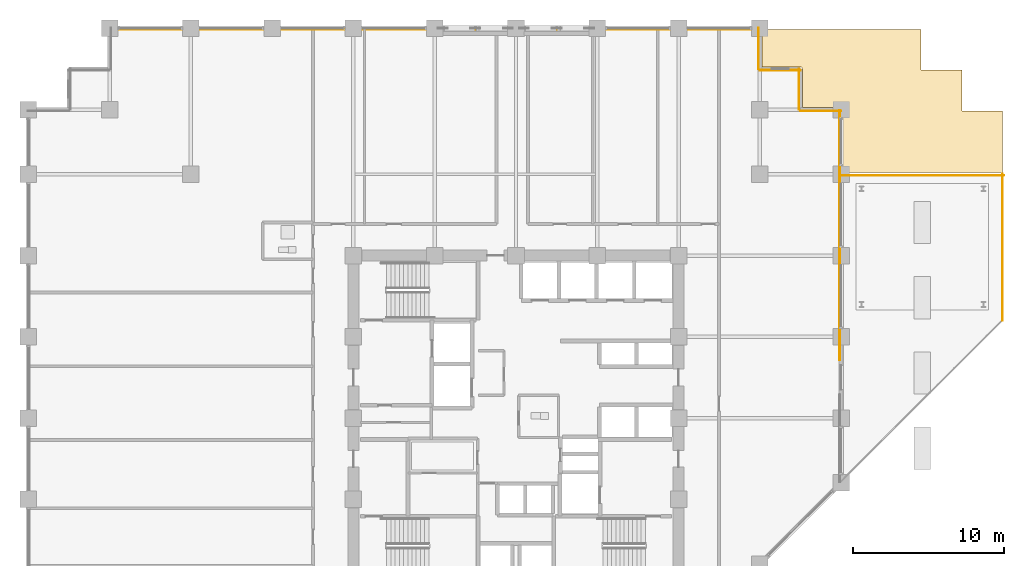
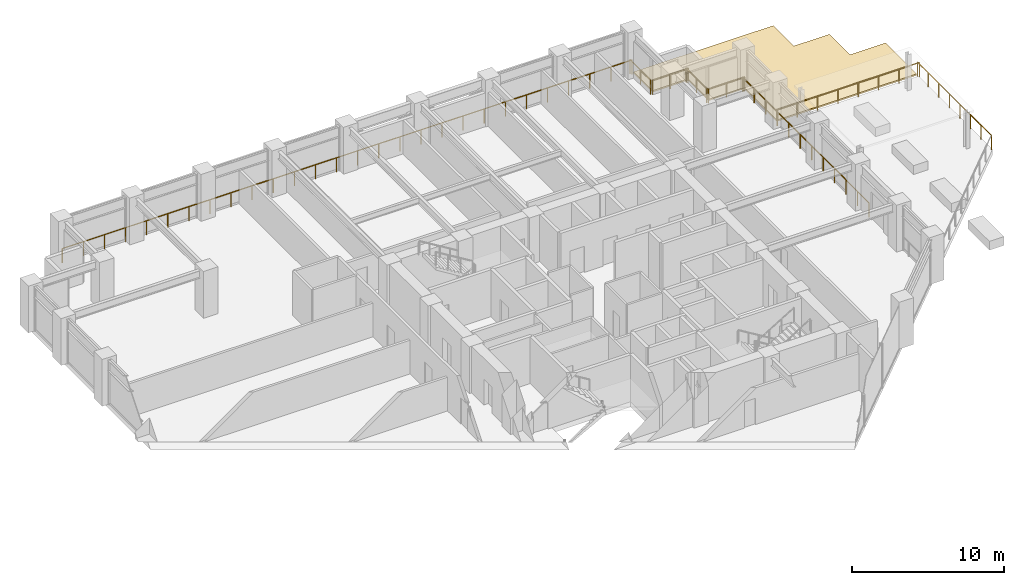
# One storey, part 28 of 30: 8 railings, 1 covering.
"""IFC4 building model written with IfcOpenShell, lengths in metres."""

from ifc_helpers import new_model, si_unit, direction, frame, origin, origin_2d, place, context, subcontext, project, spatial, polyline, circle, outline, extrude, material, layer, layer_set, type_object, element, save


model = new_model("IFC4")

# Units and contexts
model_context = context("Model", 3, precision=1e-05, world=origin(), true_north=direction((0.0, 1.0)))
body_context = subcontext(model_context, "Body", "Model", "MODEL_VIEW")
ifc_project = project(units=[si_unit("LENGTHUNIT", "METRE"), si_unit("AREAUNIT", "SQUARE_METRE"), si_unit("VOLUMEUNIT", "CUBIC_METRE"), si_unit("PLANEANGLEUNIT", "RADIAN"), si_unit("MASSUNIT", "GRAM", prefix="KILO")], contexts=[model_context])

# Site, building, storey
site_placement = place(None, origin())
site = spatial("IfcSite", under=ifc_project, at=site_placement, CompositionType="ELEMENT")
building_placement = place(site_placement, origin())
building = spatial("IfcBuilding", under=site, at=building_placement, Name="Surkhivell Harbour Commons", CompositionType="ELEMENT")
storey_placement = place(building_placement, frame((0.0, 0.0, 83.25)))
storey = spatial("IfcBuildingStorey", under=building, at=storey_placement, Name="L21", CompositionType="ELEMENT", Elevation=83.25)

# Covering
ifc_material_1 = material(Name="Inverted elastomeric waterproofing membrane and rigid insulation", Category="other")
ifc_layer = layer(ifc_material_1, 0.1201171875)
ifc_layer_set = layer_set([ifc_layer], Name="Inverted elastomeric waterproofing membrane and rigid insulation")
covering_type = type_object("IfcCoveringType", Name="COV-ROOF-MEM", PredefinedType="ROOFING", material=ifc_layer_set)
covering_placement = place(storey_placement, origin())
element("IfcCovering", 1, at=covering_placement, inside=storey, type_object=covering_type, Name="L21 Setback Waterproofing Roof Membrane 1-1", PredefinedType="ROOFING", context=body_context, shape_type="SweptSolid", body=[
    extrude(outline(polyline([(26.919921875, 25.820068359375), (16.330078125, 25.820068359375), (16.330078125, 23.330078125), (18.902099609375, 23.330078125), (18.912841796875, 23.32958984375), (18.92529296875, 23.32763671875), (18.937744140625, 23.324462890625), (18.94970703125, 23.3203125), (18.961181640625, 23.314697265625), (18.972412109375, 23.30810546875), (18.982421875, 23.300537109375), (18.991943359375, 23.2919921875), (19.00048828125, 23.282470703125), (19.00830078125, 23.272216796875), (19.0146484375, 23.26123046875), (19.020263671875, 23.249755859375), (19.0244140625, 23.23779296875), (19.027587890625, 23.225341796875), (19.029541015625, 23.212890625), (19.030029296875, 23.201904296875), (19.030029296875, 20.6298828125), (21.60205078125, 20.6298828125), (21.61279296875, 20.62939453125), (21.62548828125, 20.627685546875), (21.6376953125, 20.62451171875), (21.64990234375, 20.6201171875), (21.661376953125, 20.61474609375), (21.67236328125, 20.608154296875), (21.6826171875, 20.6005859375), (21.69189453125, 20.592041015625), (21.70068359375, 20.58251953125), (21.708251953125, 20.572265625), (21.714599609375, 20.561279296875), (21.72021484375, 20.5498046875), (21.724609375, 20.537841796875), (21.7275390625, 20.525390625), (21.7294921875, 20.5126953125), (21.72998046875, 20.501953125), (21.72998046875, 16.330078125), (32.320068359375, 16.330078125), (32.320068359375, 20.419921875), (29.6201171875, 20.419921875), (29.6201171875, 23.1201171875), (26.919921875, 23.1201171875), (26.919921875, 25.820068359375)])), origin(), (0.0, 0.0, 1.0), 0.1201171875),
])

# Railings
ifc_material_2 = material(Name="Laminated safety glass and stainless steel S355 balustrade", Category="steel")
railing_type = type_object("IfcRailingType", Name="RAL-BAL-1150", PredefinedType="BALUSTRADE", material=ifc_material_2)
railing_1_placement = place(storey_placement, frame((21.510009765625, 3.85009765625, 0.0)))
element("IfcRailing", 2, at=railing_1_placement, inside=storey, type_object=railing_type, Name="L21 Perimeter Safety Guard 03B", PredefinedType="BALUSTRADE", context=body_context, shape_type="SweptSolid", body=[
    extrude(circle(Radius=0.02392578125, at=origin_2d()), frame((0.0, 0.0, 1.1259765625), z_axis=(0.0, 1.0, 0.0), x_axis=(-1.0, 0.0, 0.0)), (0.0, 0.0, 1.0), 16.599853515625),
    extrude(circle(Radius=0.02099609375, at=origin_2d()), origin(), (0.0, 0.0, 1.0), 1.101806640625),
    extrude(circle(Radius=0.02099609375, at=origin_2d()), frame((0.0, 1.509033203125, 0.0)), (0.0, 0.0, 1.0), 1.101806640625),
    extrude(circle(Radius=0.02099609375, at=origin_2d()), frame((0.0, 3.01806640625, 0.0)), (0.0, 0.0, 1.0), 1.101806640625),
    extrude(circle(Radius=0.02099609375, at=origin_2d()), frame((0.0, 4.52734375, 0.0)), (0.0, 0.0, 1.0), 1.101806640625),
    extrude(circle(Radius=0.02099609375, at=origin_2d()), frame((0.0, 6.036376953125, 0.0)), (0.0, 0.0, 1.0), 1.101806640625),
    extrude(circle(Radius=0.02099609375, at=origin_2d()), frame((0.0, 7.54541015625, 0.0)), (0.0, 0.0, 1.0), 1.101806640625),
    extrude(circle(Radius=0.02099609375, at=origin_2d()), frame((0.0, 9.054443359375, 0.0)), (0.0, 0.0, 1.0), 1.101806640625),
    extrude(circle(Radius=0.02099609375, at=origin_2d()), frame((0.0, 10.5634765625, 0.0)), (0.0, 0.0, 1.0), 1.101806640625),
    extrude(circle(Radius=0.02099609375, at=origin_2d()), frame((0.0, 12.072509765625, 0.0)), (0.0, 0.0, 1.0), 1.101806640625),
    extrude(circle(Radius=0.02099609375, at=origin_2d()), frame((0.0, 13.581787109375, 0.0)), (0.0, 0.0, 1.0), 1.101806640625),
    extrude(circle(Radius=0.02099609375, at=origin_2d()), frame((0.0, 15.0908203125, 0.0)), (0.0, 0.0, 1.0), 1.101806640625),
    extrude(circle(Radius=0.02099609375, at=origin_2d()), frame((0.0, 16.599853515625, 0.0)), (0.0, 0.0, 1.0), 1.101806640625),
])
railing_2_placement = place(storey_placement, frame((21.60009765625, 20.409912109375, 0.0)))
element("IfcRailing", 3, at=railing_2_placement, inside=storey, type_object=railing_type, Name="L21 Perimeter Safety Guard 04", PredefinedType="BALUSTRADE", context=body_context, shape_type="SweptSolid", body=[
    extrude(circle(Radius=0.02392578125, at=origin_2d()), frame((0.0, 0.0, 1.1259765625), z_axis=(-1.0, 0.0, 0.0), x_axis=(0.0, -1.0, 0.0)), (0.0, 0.0, 1.0), 2.7001953125),
    extrude(circle(Radius=0.02099609375, at=origin_2d()), origin(), (0.0, 0.0, 1.0), 1.101806640625),
    extrude(circle(Radius=0.02099609375, at=origin_2d()), frame((-1.35009765625, 0.0, 0.0)), (0.0, 0.0, 1.0), 1.101806640625),
    extrude(circle(Radius=0.02099609375, at=origin_2d()), frame((-2.7001953125, 0.0, 0.0)), (0.0, 0.0, 1.0), 1.101806640625),
])
railing_3_placement = place(storey_placement, frame((18.81005859375, 20.5, 0.0)))
element("IfcRailing", 4, at=railing_3_placement, inside=storey, type_object=railing_type, Name="L21 Perimeter Safety Guard 05", PredefinedType="BALUSTRADE", context=body_context, shape_type="SweptSolid", body=[
    extrude(circle(Radius=0.02392578125, at=origin_2d()), frame((0.0, 0.0, 1.1259765625), z_axis=(0.0, 1.0, 0.0), x_axis=(-1.0, 0.0, 0.0)), (0.0, 0.0, 1.0), 2.699951171875),
    extrude(circle(Radius=0.02099609375, at=origin_2d()), origin(), (0.0, 0.0, 1.0), 1.101806640625),
    extrude(circle(Radius=0.02099609375, at=origin_2d()), frame((0.0, 1.35009765625, 0.0)), (0.0, 0.0, 1.0), 1.101806640625),
    extrude(circle(Radius=0.02099609375, at=origin_2d()), frame((0.0, 2.699951171875, 0.0)), (0.0, 0.0, 1.0), 1.101806640625),
])
railing_4_placement = place(storey_placement, frame((18.89990234375, 23.110107421875, 0.0)))
element("IfcRailing", 5, at=railing_4_placement, inside=storey, type_object=railing_type, Name="L21 Perimeter Safety Guard 06", PredefinedType="BALUSTRADE", context=body_context, shape_type="SweptSolid", body=[
    extrude(circle(Radius=0.02392578125, at=origin_2d()), frame((0.0, 0.0, 1.1259765625), z_axis=(-1.0, 0.0, 0.0), x_axis=(0.0, -1.0, 0.0)), (0.0, 0.0, 1.0), 2.699951171875),
    extrude(circle(Radius=0.02099609375, at=origin_2d()), origin(), (0.0, 0.0, 1.0), 1.101806640625),
    extrude(circle(Radius=0.02099609375, at=origin_2d()), frame((-1.35009765625, 0.0, 0.0)), (0.0, 0.0, 1.0), 1.101806640625),
    extrude(circle(Radius=0.02099609375, at=origin_2d()), frame((-2.699951171875, 0.0, 0.0)), (0.0, 0.0, 1.0), 1.101806640625),
])
railing_5_placement = place(storey_placement, frame((16.110107421875, 23.199951171875, 0.0)))
element("IfcRailing", 6, at=railing_5_placement, inside=storey, type_object=railing_type, Name="L21 Perimeter Safety Guard 07", PredefinedType="BALUSTRADE", context=body_context, shape_type="SweptSolid", body=[
    extrude(circle(Radius=0.02392578125, at=origin_2d()), frame((0.0, 0.0, 1.1259765625), z_axis=(0.0, 1.0, 0.0), x_axis=(-1.0, 0.0, 0.0)), (0.0, 0.0, 1.0), 2.699951171875),
    extrude(circle(Radius=0.02099609375, at=origin_2d()), origin(), (0.0, 0.0, 1.0), 1.101806640625),
    extrude(circle(Radius=0.02099609375, at=origin_2d()), frame((0.0, 1.35009765625, 0.0)), (0.0, 0.0, 1.0), 1.101806640625),
    extrude(circle(Radius=0.02099609375, at=origin_2d()), frame((0.0, 2.699951171875, 0.0)), (0.0, 0.0, 1.0), 1.101806640625),
])
railing_6_placement = place(storey_placement, frame((16.199951171875, 25.81005859375, 0.0)))
element("IfcRailing", 7, at=railing_6_placement, inside=storey, type_object=railing_type, Name="L21 Perimeter Safety Guard 08", PredefinedType="BALUSTRADE", context=body_context, shape_type="SweptSolid", body=[
    extrude(circle(Radius=0.02392578125, at=origin_2d()), frame((0.0, 0.0, 1.1259765625), z_axis=(-1.0, 0.0, 0.0), x_axis=(0.0, -1.0, 0.0)), (0.0, 0.0, 1.0), 43.199951171875),
    extrude(circle(Radius=0.02099609375, at=origin_2d()), origin(), (0.0, 0.0, 1.0), 1.101806640625),
    extrude(circle(Radius=0.02099609375, at=origin_2d()), frame((-1.60009765625, 0.0, 0.0)), (0.0, 0.0, 1.0), 1.101806640625),
    extrude(circle(Radius=0.02099609375, at=origin_2d()), frame((-3.199951171875, 0.0, 0.0)), (0.0, 0.0, 1.0), 1.101806640625),
    extrude(circle(Radius=0.02099609375, at=origin_2d()), frame((-4.800048828125, 0.0, 0.0)), (0.0, 0.0, 1.0), 1.101806640625),
    extrude(circle(Radius=0.02099609375, at=origin_2d()), frame((-6.39990234375, 0.0, 0.0)), (0.0, 0.0, 1.0), 1.101806640625),
    extrude(circle(Radius=0.02099609375, at=origin_2d()), frame((-8.0, 0.0, 0.0)), (0.0, 0.0, 1.0), 1.101806640625),
    extrude(circle(Radius=0.02099609375, at=origin_2d()), frame((-9.60009765625, 0.0, 0.0)), (0.0, 0.0, 1.0), 1.101806640625),
    extrude(circle(Radius=0.02099609375, at=origin_2d()), frame((-11.199951171875, 0.0, 0.0)), (0.0, 0.0, 1.0), 1.101806640625),
    extrude(circle(Radius=0.02099609375, at=origin_2d()), frame((-12.800048828125, 0.0, 0.0)), (0.0, 0.0, 1.0), 1.101806640625),
    extrude(circle(Radius=0.02099609375, at=origin_2d()), frame((-14.39990234375, 0.0, 0.0)), (0.0, 0.0, 1.0), 1.101806640625),
    extrude(circle(Radius=0.02099609375, at=origin_2d()), frame((-16.0, 0.0, 0.0)), (0.0, 0.0, 1.0), 1.101806640625),
    extrude(circle(Radius=0.02099609375, at=origin_2d()), frame((-17.60009765625, 0.0, 0.0)), (0.0, 0.0, 1.0), 1.101806640625),
    extrude(circle(Radius=0.02099609375, at=origin_2d()), frame((-19.199951171875, 0.0, 0.0)), (0.0, 0.0, 1.0), 1.101806640625),
    extrude(circle(Radius=0.02099609375, at=origin_2d()), frame((-20.800048828125, 0.0, 0.0)), (0.0, 0.0, 1.0), 1.101806640625),
    extrude(circle(Radius=0.02099609375, at=origin_2d()), frame((-22.39990234375, 0.0, 0.0)), (0.0, 0.0, 1.0), 1.101806640625),
    extrude(circle(Radius=0.02099609375, at=origin_2d()), frame((-24.0, 0.0, 0.0)), (0.0, 0.0, 1.0), 1.101806640625),
    extrude(circle(Radius=0.02099609375, at=origin_2d()), frame((-25.599853515625, 0.0, 0.0)), (0.0, 0.0, 1.0), 1.101806640625),
    extrude(circle(Radius=0.02099609375, at=origin_2d()), frame((-27.199951171875, 0.0, 0.0)), (0.0, 0.0, 1.0), 1.101806640625),
    extrude(circle(Radius=0.02099609375, at=origin_2d()), frame((-28.800048828125, 0.0, 0.0)), (0.0, 0.0, 1.0), 1.101806640625),
    extrude(circle(Radius=0.02099609375, at=origin_2d()), frame((-30.39990234375, 0.0, 0.0)), (0.0, 0.0, 1.0), 1.101806640625),
    extrude(circle(Radius=0.02099609375, at=origin_2d()), frame((-32.0, 0.0, 0.0)), (0.0, 0.0, 1.0), 1.101806640625),
    extrude(circle(Radius=0.02099609375, at=origin_2d()), frame((-33.599853515625, 0.0, 0.0)), (0.0, 0.0, 1.0), 1.101806640625),
    extrude(circle(Radius=0.02099609375, at=origin_2d()), frame((-35.199951171875, 0.0, 0.0)), (0.0, 0.0, 1.0), 1.101806640625),
    extrude(circle(Radius=0.02099609375, at=origin_2d()), frame((-36.800048828125, 0.0, 0.0)), (0.0, 0.0, 1.0), 1.101806640625),
    extrude(circle(Radius=0.02099609375, at=origin_2d()), frame((-38.39990234375, 0.0, 0.0)), (0.0, 0.0, 1.0), 1.101806640625),
    extrude(circle(Radius=0.02099609375, at=origin_2d()), frame((-40.0, 0.0, 0.0)), (0.0, 0.0, 1.0), 1.101806640625),
    extrude(circle(Radius=0.02099609375, at=origin_2d()), frame((-41.599853515625, 0.0, 0.0)), (0.0, 0.0, 1.0), 1.101806640625),
    extrude(circle(Radius=0.02099609375, at=origin_2d()), frame((-43.199951171875, 0.0, 0.0)), (0.0, 0.0, 1.0), 1.101806640625),
])
railing_7_placement = place(storey_placement, frame((32.320068359375, 6.5, 0.0)))
element("IfcRailing", 8, at=railing_7_placement, inside=storey, type_object=railing_type, Name="L21 Sky-Garden Terrace Balustrade 2", PredefinedType="BALUSTRADE", context=body_context, shape_type="SweptSolid", body=[
    extrude(circle(Radius=0.02392578125, at=origin_2d()), frame((0.0, 0.0, 1.1259765625), z_axis=(0.0, 1.0, 0.0), x_axis=(-1.0, 0.0, 0.0)), (0.0, 0.0, 1.0), 9.699951171875),
    extrude(circle(Radius=0.02099609375, at=origin_2d()), origin(), (0.0, 0.0, 1.0), 1.101806640625),
    extrude(circle(Radius=0.02099609375, at=origin_2d()), frame((0.0, 1.3857421875, 0.0)), (0.0, 0.0, 1.0), 1.101806640625),
    extrude(circle(Radius=0.02099609375, at=origin_2d()), frame((0.0, 2.771484375, 0.0)), (0.0, 0.0, 1.0), 1.101806640625),
    extrude(circle(Radius=0.02099609375, at=origin_2d()), frame((0.0, 4.1572265625, 0.0)), (0.0, 0.0, 1.0), 1.101806640625),
    extrude(circle(Radius=0.02099609375, at=origin_2d()), frame((0.0, 5.542724609375, 0.0)), (0.0, 0.0, 1.0), 1.101806640625),
    extrude(circle(Radius=0.02099609375, at=origin_2d()), frame((0.0, 6.928466796875, 0.0)), (0.0, 0.0, 1.0), 1.101806640625),
    extrude(circle(Radius=0.02099609375, at=origin_2d()), frame((0.0, 8.314208984375, 0.0)), (0.0, 0.0, 1.0), 1.101806640625),
    extrude(circle(Radius=0.02099609375, at=origin_2d()), frame((0.0, 9.699951171875, 0.0)), (0.0, 0.0, 1.0), 1.101806640625),
])
railing_8_placement = place(storey_placement, frame((32.39990234375, 16.1201171875, 0.0)))
element("IfcRailing", 9, at=railing_8_placement, inside=storey, type_object=railing_type, Name="L21 Sky-Garden Terrace Balustrade 3", PredefinedType="BALUSTRADE", context=body_context, shape_type="SweptSolid", body=[
    extrude(circle(Radius=0.02392578125, at=origin_2d()), frame((0.0, 0.0, 1.1259765625), z_axis=(-1.0, 0.0, 0.0), x_axis=(0.0, -1.0, 0.0)), (0.0, 0.0, 1.0), 10.7998046875),
    extrude(circle(Radius=0.02099609375, at=origin_2d()), origin(), (0.0, 0.0, 1.0), 1.101806640625),
    extrude(circle(Radius=0.02099609375, at=origin_2d()), frame((-1.542724609375, 0.0, 0.0)), (0.0, 0.0, 1.0), 1.101806640625),
    extrude(circle(Radius=0.02099609375, at=origin_2d()), frame((-3.085693359375, 0.0, 0.0)), (0.0, 0.0, 1.0), 1.101806640625),
    extrude(circle(Radius=0.02099609375, at=origin_2d()), frame((-4.62841796875, 0.0, 0.0)), (0.0, 0.0, 1.0), 1.101806640625),
    extrude(circle(Radius=0.02099609375, at=origin_2d()), frame((-6.17138671875, 0.0, 0.0)), (0.0, 0.0, 1.0), 1.101806640625),
    extrude(circle(Radius=0.02099609375, at=origin_2d()), frame((-7.714111328125, 0.0, 0.0)), (0.0, 0.0, 1.0), 1.101806640625),
    extrude(circle(Radius=0.02099609375, at=origin_2d()), frame((-9.257080078125, 0.0, 0.0)), (0.0, 0.0, 1.0), 1.101806640625),
    extrude(circle(Radius=0.02099609375, at=origin_2d()), frame((-10.7998046875, 0.0, 0.0)), (0.0, 0.0, 1.0), 1.101806640625),
])

save(model, "model.ifc")
